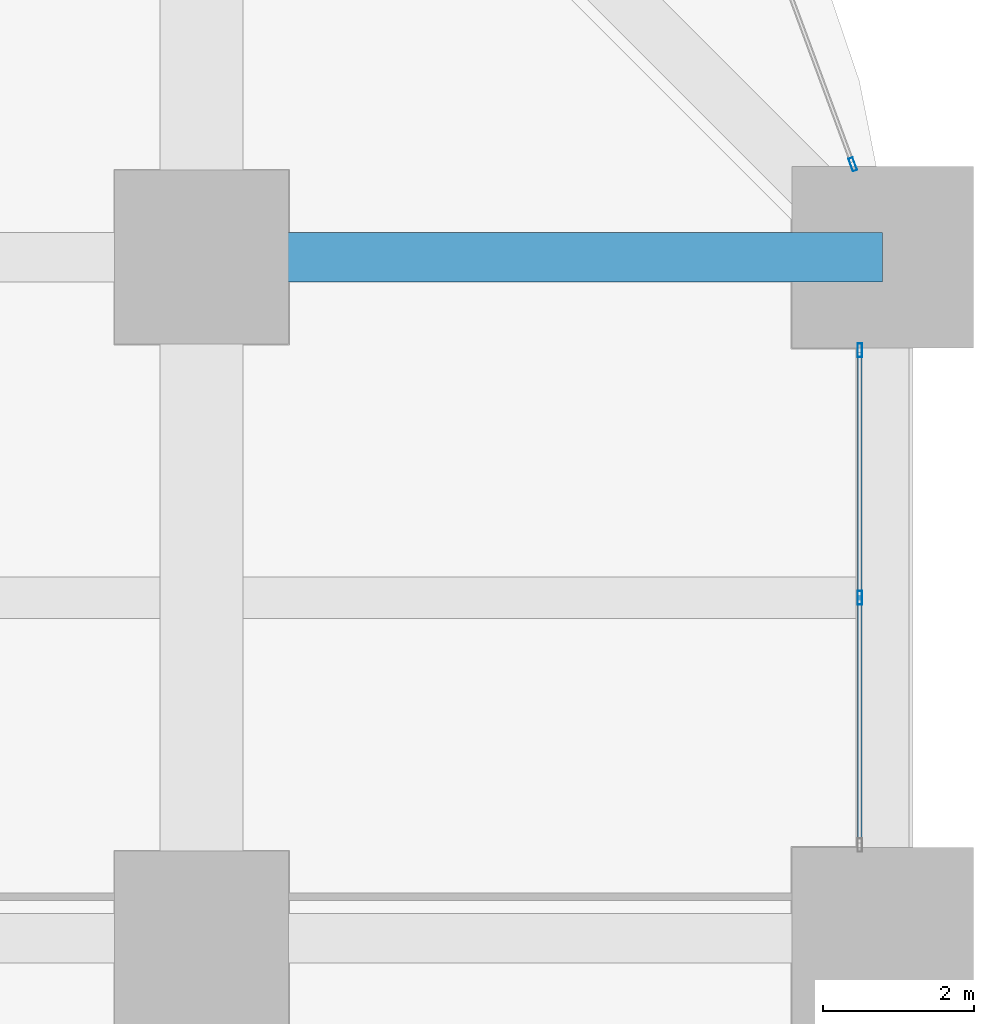
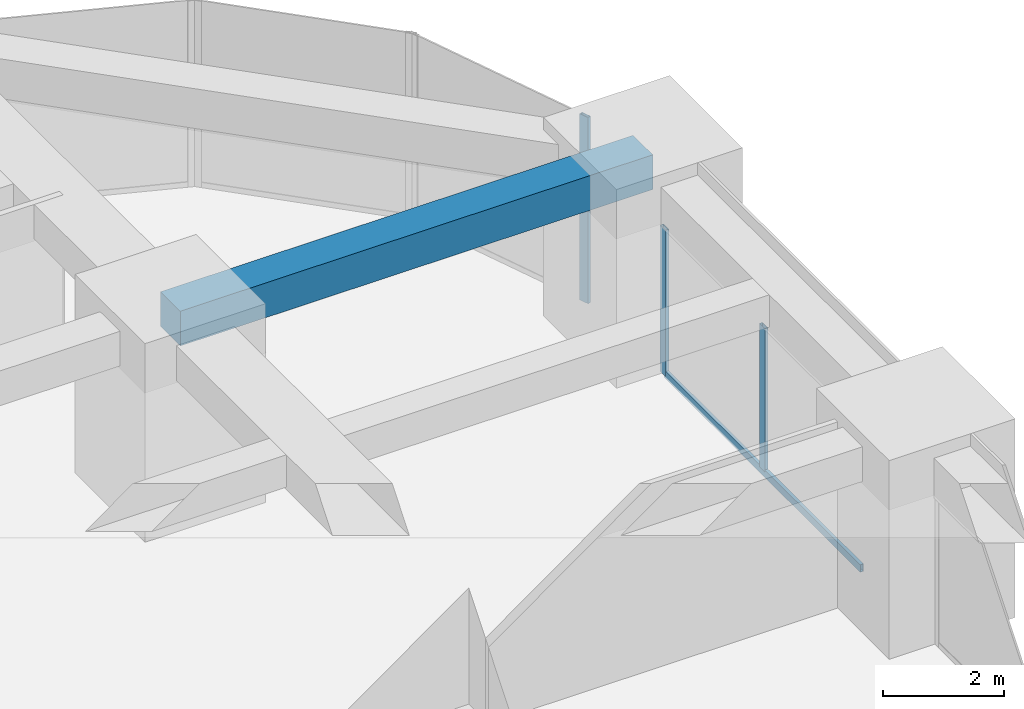
# One storey, part 34 of 44: 4 members, 1 beam, 2 elements without a shape of their own.
"""IFC4 building model written with IfcOpenShell, lengths in metres."""

from ifc_helpers import new_model, si_unit, direction, frame, origin, origin_2d, place, context, subcontext, project, spatial, rectangle, hollow_rectangle, extrude, material, material_profile, profile_set, type_object, element, aggregate, save


model = new_model("IFC4")

# Units and contexts
model_context = context("Model", 3, precision=1e-05, world=origin(), true_north=direction((0.0, 1.0)))
body_context = subcontext(model_context, "Body", "Model", "MODEL_VIEW")
ifc_project = project(units=[si_unit("LENGTHUNIT", "METRE"), si_unit("AREAUNIT", "SQUARE_METRE"), si_unit("VOLUMEUNIT", "CUBIC_METRE"), si_unit("PLANEANGLEUNIT", "RADIAN"), si_unit("MASSUNIT", "GRAM", prefix="KILO")], contexts=[model_context])

# Site, building, storey
site_placement = place(None, origin())
site = spatial("IfcSite", under=ifc_project, at=site_placement, CompositionType="ELEMENT")
building_placement = place(site_placement, origin())
building = spatial("IfcBuilding", under=site, at=building_placement, Name="Zorevar Civic Tower", CompositionType="ELEMENT")
storey_placement = place(building_placement, frame((0.0, 0.0, 35.800048828125)))
storey = spatial("IfcBuildingStorey", under=building, at=storey_placement, Name="L08", CompositionType="ELEMENT", Elevation=35.800048828125)

# Beam
ifc_material_1 = material(Name="Concrete C50/60", Category="concrete")
ifc_material_profile_1 = material_profile(ifc_material_1, rectangle(XDim=0.64990234375, YDim=0.699951171875, at=origin_2d()), Name="RC 650x700")
ifc_profile_set_1 = profile_set([ifc_material_profile_1], Name="Concrete C50/60")
beam_type = type_object("IfcBeamType", Name="Beam RC 650x700", PredefinedType="BEAM", material=ifc_profile_set_1)
beam_placement = place(storey_placement, frame((54.0, 45.0, 3.39990234375), z_axis=(1.0, 0.0, 0.0), x_axis=(0.0, 1.0, 0.0)))
element("IfcBeam", 1, at=beam_placement, inside=storey, type_object=beam_type, Name="Girder L09", PredefinedType="BEAM", context=body_context, shape_type="SweptSolid", body=[
    extrude(rectangle(XDim=0.64990234375, YDim=0.699951171875, at=origin_2d()), origin(), (0.0, 0.0, 1.0), 9.0),
])

# Curtain wall, members
ifc_material_2 = material(Name="Dark grey solar-control glass in black aluminium frame", Category="aluminium")
curtain_wall_type = type_object("IfcCurtainWallType", Name="Curtain wall CW2 low zone", PredefinedType="NOTDEFINED", material=ifc_material_2)
curtain_wall_1_placement = place(storey_placement, origin())
curtain_wall_1 = element("IfcCurtainWall", 2, at=curtain_wall_1_placement, inside=storey, type_object=curtain_wall_type, Name="CW2 L08", PredefinedType="NOTDEFINED")
ifc_material_3 = material(Name="Aluminium, black anodised", Category="aluminium")
ifc_material_profile_2 = material_profile(ifc_material_3, hollow_rectangle(XDim=0.06005859375, YDim=0.179931640625, WallThickness=0.00390625, at=origin_2d()), Name="AL 180x60x4")
ifc_profile_set_2 = profile_set([ifc_material_profile_2], Name="Aluminium, black anodised")
member_type_1 = type_object("IfcMemberType", Name="CW2 mullion AL 180x60x4", PredefinedType="MULLION", material=ifc_profile_set_2)
member_1_placement = place(storey_placement, frame((62.699951171875, 40.5, 0.06005859375), z_axis=(0.0, 0.0, 1.0), x_axis=(-1.0, 0.0, 0.0)))
member_1 = element("IfcMember", 3, at=member_1_placement, type_object=member_type_1, Name="CW2 mullion 2", PredefinedType="MULLION", context=body_context, shape_type="SweptSolid", body=[
    extrude(hollow_rectangle(XDim=0.06005859375, YDim=0.179931640625, WallThickness=0.00390625, at=origin_2d()), origin(), (0.0, 0.0, 1.0), 2.889892578125),
])
member_2_placement = place(storey_placement, frame((62.699951171875, 43.77001953125, 0.0), z_axis=(0.0, 0.0, 1.0), x_axis=(-1.0, 0.0, 0.0)))
member_2 = element("IfcMember", 4, at=member_2_placement, type_object=member_type_1, Name="CW2 mullion 3", PredefinedType="MULLION", context=body_context, shape_type="SweptSolid", body=[
    extrude(hollow_rectangle(XDim=0.06005859375, YDim=0.179931640625, WallThickness=0.00390625, at=origin_2d()), origin(), (0.0, 0.0, 1.0), 2.949951171875),
])

# Curtain wall, member
curtain_wall_2_placement = place(storey_placement, origin())
curtain_wall_2 = element("IfcCurtainWall", 5, at=curtain_wall_2_placement, inside=storey, type_object=curtain_wall_type, Name="CW2 L08", PredefinedType="NOTDEFINED")
member_3_placement = place(storey_placement, frame((62.6064453125, 46.22802734375, 0.0), z_axis=(0.0, 0.0, 1.0), x_axis=(-0.937974588163, -0.346704012033, 0.0)))
member_3 = element("IfcMember", 6, at=member_3_placement, type_object=member_type_1, Name="CW2 mullion 1", PredefinedType="MULLION", context=body_context, shape_type="SweptSolid", body=[
    extrude(hollow_rectangle(XDim=0.06005859375, YDim=0.179931640625, WallThickness=0.00390625, at=origin_2d()), origin(), (0.0, 0.0, 1.0), 3.75),
])
aggregate(curtain_wall_2, [member_3])

# Member
ifc_material_4 = material(Name="Aluminium, black anodised", Category="aluminium")
ifc_material_profile_3 = material_profile(ifc_material_4, hollow_rectangle(XDim=0.06005859375, YDim=0.14990234375, WallThickness=0.00390625, at=origin_2d()), Name="AL 150x60x4")
ifc_profile_set_3 = profile_set([ifc_material_profile_3], Name="Aluminium, black anodised")
member_type_2 = type_object("IfcMemberType", Name="CW2 transom AL 150x60x4", PredefinedType="USERDEFINED", material=ifc_profile_set_3)
member_4_placement = place(storey_placement, frame((62.699951171875, 37.260009765625, 0.030029296875), z_axis=(0.0, 1.0, 0.0), x_axis=(-1.0, 0.0, 0.0)))
member_4 = element("IfcMember", 7, at=member_4_placement, type_object=member_type_2, Name="CW2 sill transom", ObjectType="TRANSOM", PredefinedType="USERDEFINED", context=body_context, shape_type="SweptSolid", body=[
    extrude(hollow_rectangle(XDim=0.06005859375, YDim=0.14990234375, WallThickness=0.00390625, at=origin_2d()), origin(), (0.0, 0.0, 1.0), 6.47998046875),
])

aggregate(curtain_wall_1, [member_1, member_2, member_4])

save(model, "model.ifc")
